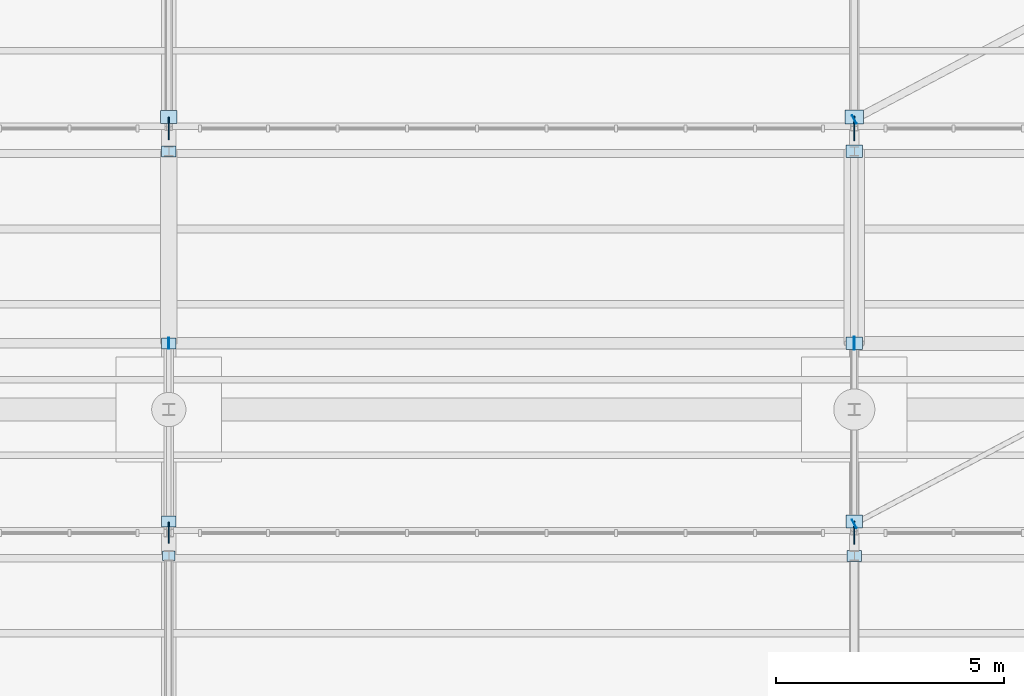
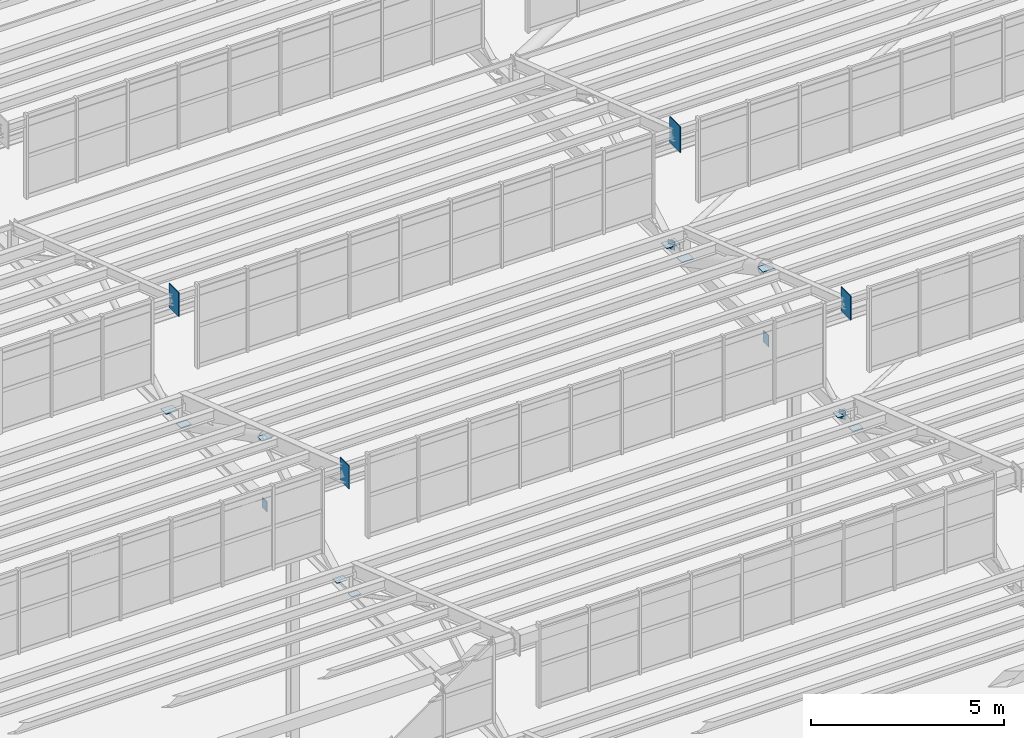
# One storey, part 214 of 285: 18 plates.
"""IFC4 building model written with IfcOpenShell, lengths in metres."""

from ifc_helpers import new_model, si_unit, direction, frame, origin, origin_2d, place, context, subcontext, project, spatial, rectangle, extrude, material, layer, layer_set, type_object, element, save


model = new_model("IFC4")

# Units and contexts
model_context = context("Model", 3, precision=1e-05, world=origin(), true_north=direction((0.0, 1.0)))
body_context = subcontext(model_context, "Body", "Model", "MODEL_VIEW")
ifc_project = project(units=[si_unit("LENGTHUNIT", "METRE"), si_unit("AREAUNIT", "SQUARE_METRE"), si_unit("VOLUMEUNIT", "CUBIC_METRE"), si_unit("PLANEANGLEUNIT", "RADIAN"), si_unit("MASSUNIT", "GRAM", prefix="KILO")], contexts=[model_context])

# Site, building, storey
site_placement = place(None, origin())
site = spatial("IfcSite", under=ifc_project, at=site_placement, CompositionType="ELEMENT")
building_placement = place(site_placement, origin())
building = spatial("IfcBuilding", under=site, at=building_placement, Name="Solanera Park Tramway Depot", CompositionType="ELEMENT")
storey_placement = place(building_placement, origin())
storey = spatial("IfcBuildingStorey", under=building, at=storey_placement, Name="L00", CompositionType="ELEMENT", Elevation=0.0)

# Plates
ifc_material_1 = material(Name="Steel AS/NZS 3679.1 Grade 350", Category="steel")
ifc_layer_1 = layer(ifc_material_1, 0.013916015625)
ifc_layer_set_1 = layer_set([ifc_layer_1], Name="Steel AS/NZS 3679.1 Grade 350")
plate_type_1 = type_object("IfcPlateType", Name="Hollow End Cap and Base Plate 280x200x14", PredefinedType="USERDEFINED", material=ifc_layer_set_1)
plate_1_placement = place(storey_placement, frame((75.0, 81.800048828125, 6.4931640625), z_axis=(0.0, 0.0, 1.0), x_axis=(1.0, 0.0, 0.0)))
element("IfcPlate", 1, at=plate_1_placement, inside=storey, type_object=plate_type_1, Name="Sawtooth Truss Node Cap Plate #0293", ObjectType="BASE PLATE", PredefinedType="USERDEFINED", context=body_context, shape_type="SweptSolid", body=[
    extrude(rectangle(XDim=0.280029296875, YDim=0.199951171875, at=origin_2d()), origin(), (0.0, 0.0, 1.0), 0.013916015625),
])
for number, where, z_axis, x_axis, name in (
    (2, (89.999267578125, 82.49853515625, 6.35986328125), (0.0, 0.0, 1.0), (0.883520501477, 0.468392488698, 0.0), "Hollow Section Welded End Cap Plate #0418"),
    (3, (89.999267578125, 91.3486328125, 6.35986328125), (0.0, 0.0, 1.0), (0.883520501477, 0.468392488698, 0.0), "Hollow Section Welded End Cap Plate #0509"),
):
    element("IfcPlate", number, at=place(storey_placement, frame(where, z_axis=z_axis, x_axis=x_axis)), inside=storey, type_object=plate_type_1, Name=name, ObjectType="BASE PLATE", PredefinedType="USERDEFINED", context=body_context, shape_type="SweptSolid", body=[
        extrude(rectangle(XDim=0.013916015625, YDim=0.199951171875, at=origin_2d()), origin(), (0.0, 0.0, 1.0), 0.280029296875),
    ])
ifc_material_2 = material(Name="Steel AS/NZS 3679.1 Grade 350", Category="steel")
ifc_layer_2 = layer(ifc_material_2, 0.01611328125)
ifc_layer_set_2 = layer_set([ifc_layer_2], Name="Steel AS/NZS 3679.1 Grade 350")
plate_type_2 = type_object("IfcPlateType", Name="Hollow End Cap and Base Plate 320x240x16", PredefinedType="USERDEFINED", material=ifc_layer_set_2)
plate_2_placement = place(storey_placement, frame((90.0, 81.800048828125, 6.491943359375), z_axis=(0.0, 0.0, 1.0), x_axis=(1.0, 0.0, 0.0)))
element("IfcPlate", 4, at=plate_2_placement, inside=storey, type_object=plate_type_2, Name="Sawtooth Truss Node Cap Plate #0298", ObjectType="BASE PLATE", PredefinedType="USERDEFINED", context=body_context, shape_type="SweptSolid", body=[
    extrude(rectangle(XDim=0.320068359375, YDim=0.239990234375, at=origin_2d()), origin(), (0.0, 0.0, 1.0), 0.01611328125),
])
plate_3_placement = place(storey_placement, frame((75.0, 86.449951171875, 6.33984375), z_axis=(0.0, 0.0, 1.0), x_axis=(1.0, 0.0, 0.0)))
element("IfcPlate", 5, at=plate_3_placement, inside=storey, type_object=plate_type_2, Name="Sawtooth Truss Hollow End Cap #0381", ObjectType="BASE PLATE", PredefinedType="USERDEFINED", context=body_context, shape_type="SweptSolid", body=[
    extrude(rectangle(XDim=0.01611328125, YDim=0.239990234375, at=origin_2d()), origin(), (0.0, 0.0, 1.0), 0.320068359375),
])
for number, where, z_axis, x_axis, name in (
    (6, (75.0, 90.64990234375, 6.491943359375), (0.0, 0.0, 1.0), (1.0, 0.0, 0.0), "Sawtooth Truss Node Cap Plate #0382"),
    (7, (75.0, 86.449951171875, 8.62158203125), (0.0, 0.0, 1.0), (1.0, 0.0, 0.0), "Sawtooth Truss Node Cap Plate #0383"),
    (8, (75.0, 82.550048828125, 6.491943359375), (0.0, 0.0, 1.0), (1.0, 0.0, 0.0), "Sawtooth Truss Node Cap Plate #0384"),
):
    element("IfcPlate", number, at=place(storey_placement, frame(where, z_axis=z_axis, x_axis=x_axis)), inside=storey, type_object=plate_type_2, Name=name, ObjectType="BASE PLATE", PredefinedType="USERDEFINED", context=body_context, shape_type="SweptSolid", body=[
        extrude(rectangle(XDim=0.320068359375, YDim=0.239990234375, at=origin_2d()), origin(), (0.0, 0.0, 1.0), 0.01611328125),
    ])
ifc_material_3 = material(Name="Steel AS/NZS 3679.1 Grade 350", Category="steel")
ifc_layer_3 = layer(ifc_material_3, 0.01806640625)
ifc_layer_set_3 = layer_set([ifc_layer_3], Name="Steel AS/NZS 3679.1 Grade 350")
plate_type_3 = type_object("IfcPlateType", Name="Hollow End Cap and Base Plate 360x280x18", PredefinedType="USERDEFINED", material=ifc_layer_set_3)
plate_4_placement = place(storey_placement, frame((90.0, 86.449951171875, 6.31982421875), z_axis=(0.0, 0.0, 1.0), x_axis=(1.0, 0.0, 0.0)))
element("IfcPlate", 9, at=plate_4_placement, inside=storey, type_object=plate_type_3, Name="Sawtooth Truss Hollow End Cap #0386", ObjectType="BASE PLATE", PredefinedType="USERDEFINED", context=body_context, shape_type="SweptSolid", body=[
    extrude(rectangle(XDim=0.01806640625, YDim=0.280029296875, at=origin_2d()), origin(), (0.0, 0.0, 1.0), 0.360107421875),
])
for number, where, z_axis, x_axis, name in (
    (10, (90.0, 90.64990234375, 6.490966796875), (0.0, 0.0, 1.0), (1.0, 0.0, 0.0), "Sawtooth Truss Node Cap Plate #0387"),
    (11, (90.0, 86.449951171875, 8.733642578125), (0.0, 0.0, 1.0), (1.0, 0.0, 0.0), "Sawtooth Truss Node Cap Plate #0388"),
    (12, (90.0, 82.550048828125, 6.490966796875), (0.0, 0.0, 1.0), (1.0, 0.0, 0.0), "Sawtooth Truss Node Cap Plate #0389"),
    (13, (75.0, 91.39990234375, 6.490966796875), (0.0, 0.0, 1.0), (1.0, 0.0, 0.0), "Sawtooth Truss Node Cap Plate #0455"),
):
    element("IfcPlate", number, at=place(storey_placement, frame(where, z_axis=z_axis, x_axis=x_axis)), inside=storey, type_object=plate_type_3, Name=name, ObjectType="BASE PLATE", PredefinedType="USERDEFINED", context=body_context, shape_type="SweptSolid", body=[
        extrude(rectangle(XDim=0.360107421875, YDim=0.280029296875, at=origin_2d()), origin(), (0.0, 0.0, 1.0), 0.01806640625),
    ])
ifc_material_4 = material(Name="Steel AS/NZS 3679.1 Grade 350", Category="steel")
ifc_layer_4 = layer(ifc_material_4, 0.02001953125)
ifc_layer_set_4 = layer_set([ifc_layer_4], Name="Steel AS/NZS 3679.1 Grade 350")
plate_type_4 = type_object("IfcPlateType", Name="Hollow End Cap and Base Plate 400x300x20", PredefinedType="USERDEFINED", material=ifc_layer_set_4)
plate_5_placement = place(storey_placement, frame((90.0, 91.39990234375, 6.489990234375), z_axis=(0.0, 0.0, 1.0), x_axis=(1.0, 0.0, 0.0)))
element("IfcPlate", 14, at=plate_5_placement, inside=storey, type_object=plate_type_4, Name="Sawtooth Truss Node Cap Plate #0460", ObjectType="BASE PLATE", PredefinedType="USERDEFINED", context=body_context, shape_type="SweptSolid", body=[
    extrude(rectangle(XDim=0.39990234375, YDim=0.300048828125, at=origin_2d()), origin(), (0.0, 0.0, 1.0), 0.02001953125),
])
ifc_material_5 = material(Name="Steel AS/NZS 3679.1 Grade 350", Category="steel")
ifc_layer_5 = layer(ifc_material_5, 0.02490234375)
ifc_layer_set_5 = layer_set([ifc_layer_5], Name="Steel AS/NZS 3679.1 Grade 350")
plate_type_5 = type_object("IfcPlateType", Name="Truss Node Gusset Stiffener 720x460x25", PredefinedType="SHEET", material=ifc_layer_set_5)
plate_6_placement = place(storey_placement, frame((75.0, 82.300048828125, 9.658203125), z_axis=(0.0, 0.0, 1.0), x_axis=(1.0, 0.0, 0.0)))
element("IfcPlate", 15, at=plate_6_placement, inside=storey, type_object=plate_type_5, Name="Sawtooth Truss Apex Gusset Plate #0380", PredefinedType="SHEET", context=body_context, shape_type="SweptSolid", body=[
    extrude(rectangle(XDim=0.02490234375, YDim=0.4599609375, at=origin_2d()), origin(), (0.0, 0.0, 1.0), 0.719970703125),
])
ifc_material_6 = material(Name="Steel AS/NZS 3679.1 Grade 350", Category="steel")
ifc_layer_6 = layer(ifc_material_6, 0.02587890625)
ifc_layer_set_6 = layer_set([ifc_layer_6], Name="Steel AS/NZS 3679.1 Grade 350")
plate_type_6 = type_object("IfcPlateType", Name="Truss Node Gusset Stiffener 760x500x26", PredefinedType="SHEET", material=ifc_layer_set_6)
for number, where, z_axis, x_axis, name in (
    (16, (90.0, 82.300048828125, 9.7509765625), (0.0, 0.0, 1.0), (1.0, 0.0, 0.0), "Sawtooth Truss Apex Gusset Plate #0385"),
    (17, (75.0, 91.14990234375, 9.7509765625), (0.0, 0.0, 1.0), (1.0, 0.0, 0.0), "Sawtooth Truss Apex Gusset Plate #0451"),
):
    element("IfcPlate", number, at=place(storey_placement, frame(where, z_axis=z_axis, x_axis=x_axis)), inside=storey, type_object=plate_type_6, Name=name, PredefinedType="SHEET", context=body_context, shape_type="SweptSolid", body=[
        extrude(rectangle(XDim=0.02587890625, YDim=0.5, at=origin_2d()), origin(), (0.0, 0.0, 1.0), 0.760009765625),
    ])
ifc_material_7 = material(Name="Steel AS/NZS 3679.1 Grade 350", Category="steel")
ifc_layer_7 = layer(ifc_material_7, 0.028076171875)
ifc_layer_set_7 = layer_set([ifc_layer_7], Name="Steel AS/NZS 3679.1 Grade 350")
plate_type_7 = type_object("IfcPlateType", Name="Truss Node Gusset Stiffener 820x540x28", PredefinedType="SHEET", material=ifc_layer_set_7)
plate_7_placement = place(storey_placement, frame((90.0, 91.14990234375, 9.69677734375), z_axis=(0.0, 0.0, 1.0), x_axis=(1.0, 0.0, 0.0)))
element("IfcPlate", 18, at=plate_7_placement, inside=storey, type_object=plate_type_7, Name="Sawtooth Truss Apex Gusset Plate #0456", PredefinedType="SHEET", context=body_context, shape_type="SweptSolid", body=[
    extrude(rectangle(XDim=0.028076171875, YDim=0.5400390625, at=origin_2d()), origin(), (0.0, 0.0, 1.0), 0.820068359375),
])

save(model, "model.ifc")
